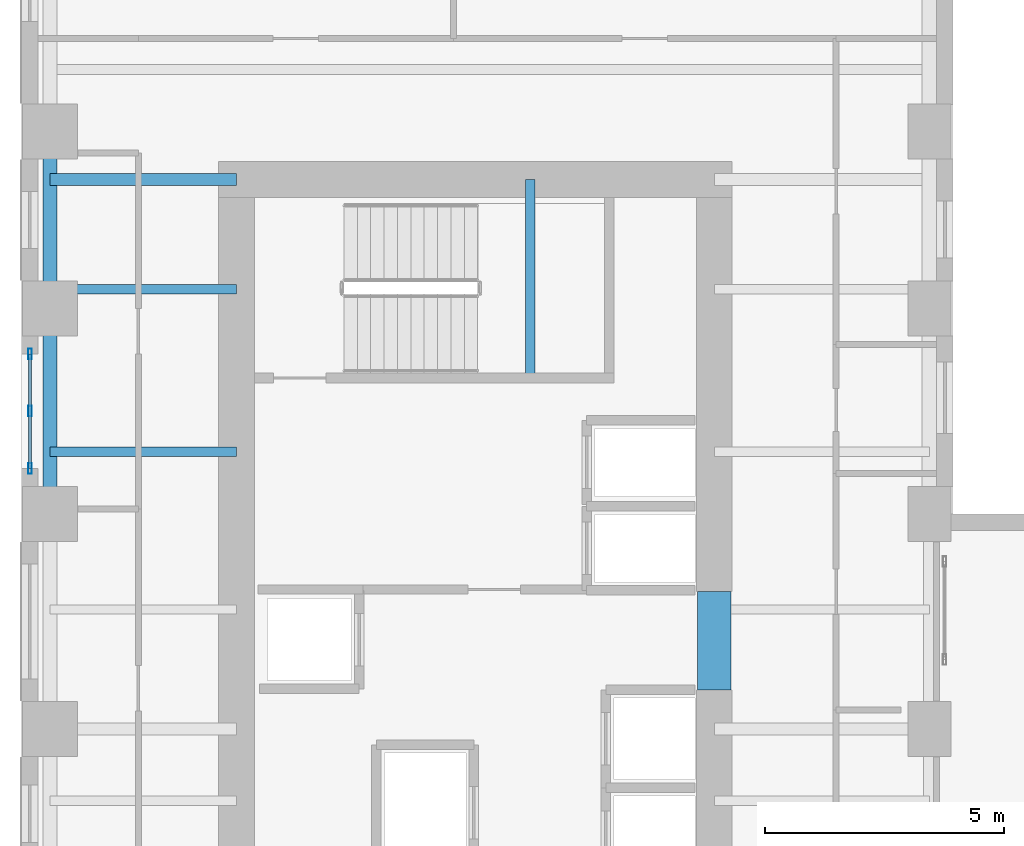
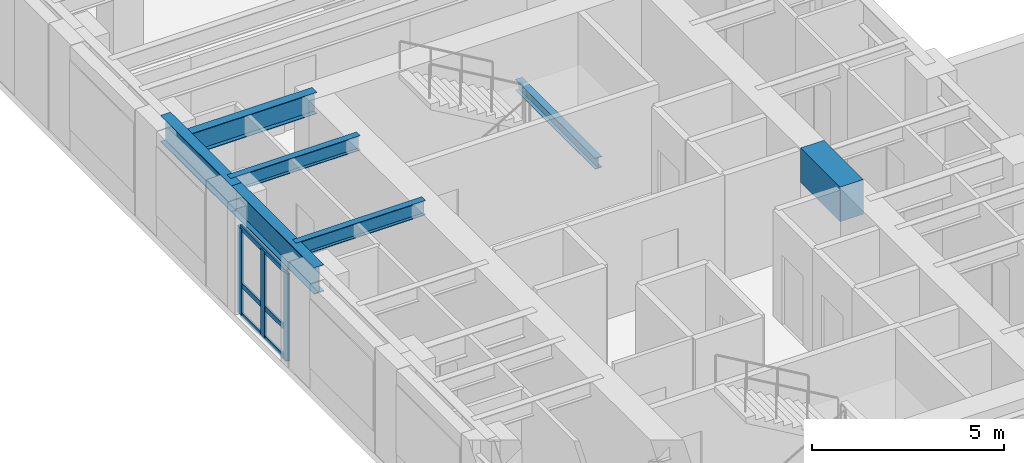
# One storey, part 2 of 14: 7 beams, 6 members, 1 element without a shape of its own.
"""IFC4 building model written with IfcOpenShell, lengths in metres."""

from ifc_helpers import new_model, si_unit, direction, frame, origin, origin_2d, place, context, subcontext, project, spatial, rectangle, hollow_rectangle, i_section, extrude, source, transform, mapped, material, layer, layer_set, material_profile, profile_set, type_object, element, aggregate, save


model = new_model("IFC4")

# Units and contexts
model_context = context("Model", 3, precision=1e-05, world=origin(), true_north=direction((0.0, 1.0)))
body_context = subcontext(model_context, "Body", "Model", "MODEL_VIEW")
ifc_project = project(units=[si_unit("LENGTHUNIT", "METRE"), si_unit("AREAUNIT", "SQUARE_METRE"), si_unit("VOLUMEUNIT", "CUBIC_METRE"), si_unit("PLANEANGLEUNIT", "RADIAN"), si_unit("MASSUNIT", "GRAM", prefix="KILO")], contexts=[model_context])

# Site, building, storey
site_placement = place(None, origin())
site = spatial("IfcSite", under=ifc_project, at=site_placement, CompositionType="ELEMENT")
building_placement = place(site_placement, origin())
building = spatial("IfcBuilding", under=site, at=building_placement, Name="Kharzan Plaza Tower", CompositionType="ELEMENT")
storey_placement = place(building_placement, frame((0.0, 0.0, 81.0)))
storey = spatial("IfcBuildingStorey", under=building, at=storey_placement, Name="L21", CompositionType="ELEMENT", Elevation=81.0)

# Beams
ifc_material_1 = material(Name="Concrete C60/75", Category="concrete")
ifc_material_profile_1 = material_profile(ifc_material_1, rectangle(XDim=0.699951171875, YDim=1.10009765625, at=origin_2d()), Name="RC-CB1100x700")
ifc_profile_set_1 = profile_set([ifc_material_profile_1], Name="Concrete C60/75")
beam_type_1 = type_object("IfcBeamType", Name="BM-RCCB1100", PredefinedType="LINTEL", material=ifc_profile_set_1)
shared_shape_1 = source(origin(), body_context, "Body", "SweptSolid", [
    extrude(rectangle(XDim=0.699951171875, YDim=1.10009765625, at=origin_2d()), origin(), (0.0, 0.0, 1.0), 2.059814453125),
])
beam_1_placement = place(storey_placement, frame((14.5, 18.820068359375, 2.830078125), z_axis=(0.0, 1.0, 0.0), x_axis=(-1.0, 0.0, 0.0)))
element("IfcBeam", 1, at=beam_1_placement, inside=storey, type_object=beam_type_1, Name="L21 CORE-A RC coupling beam CB1", PredefinedType="LINTEL", context=body_context, shape_type="MappedRepresentation", body=[
    mapped(shared_shape_1, transform((0.0, 0.0, 0.0), x_axis=(1.0, 0.0, 0.0), y_axis=(0.0, 1.0, 0.0), z_axis=(0.0, 0.0, 1.0))),
])
ifc_material_2 = material(Name="Steel S355", Category="steel")
ifc_material_profile_2 = material_profile(ifc_material_2, i_section(OverallWidth=0.205078125, OverallDepth=0.35400390625, WebThickness=0.009521484375, FlangeThickness=0.016845703125, at=origin_2d()), Name="W360x79")
ifc_profile_set_2 = profile_set([ifc_material_profile_2], Name="Steel S355")
beam_type_2 = type_object("IfcBeamType", Name="BM-LNT360", PredefinedType="LINTEL", material=ifc_profile_set_2)
shared_shape_2 = source(origin(), body_context, "Body", "SweptSolid", [
    extrude(i_section(OverallWidth=0.205078125, OverallDepth=0.35400390625, WebThickness=0.009521484375, FlangeThickness=0.016845703125, at=origin_2d()), origin(), (0.0, 0.0, 1.0), 4.155029296875),
])
beam_2_placement = place(storey_placement, frame((10.64990234375, 25.344970703125, 1.423095703125), z_axis=(0.0, 1.0, 0.0), x_axis=(-1.0, 0.0, 0.0)))
element("IfcBeam", 2, at=beam_2_placement, inside=storey, type_object=beam_type_2, Name="L21 Stair ST-2 Half-Landing Beam", PredefinedType="LINTEL", context=body_context, shape_type="MappedRepresentation", body=[
    mapped(shared_shape_2, transform((0.0, 0.0, 0.0), x_axis=(1.0, 0.0, 0.0), y_axis=(0.0, 1.0, 0.0), z_axis=(0.0, 0.0, 1.0))),
])
ifc_material_profile_3 = material_profile(ifc_material_2, i_section(OverallWidth=0.194091796875, OverallDepth=0.468994140625, WebThickness=0.011474609375, FlangeThickness=0.0205078125, at=origin_2d()), Name="W460x106")
ifc_profile_set_3 = profile_set([ifc_material_profile_3], Name="Steel S355")
beam_type_3 = type_object("IfcBeamType", Name="BM-JST460", PredefinedType="JOIST", material=ifc_profile_set_3)
shared_shape_3 = source(origin(), body_context, "Body", "SweptSolid", [
    extrude(i_section(OverallWidth=0.194091796875, OverallDepth=0.468994140625, WebThickness=0.011474609375, FlangeThickness=0.0205078125, at=origin_2d()), origin(), (0.0, 0.0, 1.0), 3.89990234375),
])
for number, where, z_axis, x_axis, name in (
    (3, (0.60009765625, 23.800048828125, 3.1455078125), (1.0, 0.0, 0.0), (0.0, 1.0, 0.0), "L21 Wing A West Infill Joist 5"),
    (4, (0.60009765625, 27.199951171875, 3.1455078125), (1.0, 0.0, 0.0), (0.0, 1.0, 0.0), "L21 Wing A West Infill Joist 6"),
):
    element("IfcBeam", number, at=place(storey_placement, frame(where, z_axis=z_axis, x_axis=x_axis)), inside=storey, type_object=beam_type_3, Name=name, PredefinedType="JOIST", context=body_context, shape_type="MappedRepresentation", body=[
        mapped(shared_shape_3, transform((0.0, 0.0, 0.0), x_axis=(1.0, 0.0, 0.0), y_axis=(0.0, 1.0, 0.0), z_axis=(0.0, 0.0, 1.0))),
    ])

# Curtain wall, members
ifc_material_3 = material(Name="Unitised Bronze-Anodized Aluminium and Low-E Glass", Category="aluminium")
ifc_layer = layer(ifc_material_3, 0.199951171875)
ifc_layer_set = layer_set([ifc_layer], Name="Unitised Bronze-Anodized Aluminium and Low-E Glass")
curtain_wall_type = type_object("IfcCurtainWallType", Name="CW-SKY-4", PredefinedType="NOTDEFINED", material=ifc_layer_set)
curtain_wall_placement = place(storey_placement, origin())
curtain_wall = element("IfcCurtainWall", 5, at=curtain_wall_placement, inside=storey, type_object=curtain_wall_type, Name="L21 Sky-Lobby and Transfer Zone Feature Curtain Wall", PredefinedType="NOTDEFINED")
ifc_material_4 = material(Name="Anodized Bronze Aluminium", Category="aluminium")
ifc_material_profile_4 = material_profile(ifc_material_4, hollow_rectangle(XDim=0.06005859375, YDim=0.14990234375, WallThickness=0.00341796875, at=origin_2d()), Name="ALU-T150x60x3.5")
ifc_profile_set_4 = profile_set([ifc_material_profile_4], Name="Anodized Bronze Aluminium")
member_type_1 = type_object("IfcMemberType", Name="MEM-CW-TRN150", PredefinedType="USERDEFINED", material=ifc_profile_set_4)
shared_shape_4 = source(origin(), body_context, "Body", "SweptSolid", [
    extrude(hollow_rectangle(XDim=0.06005859375, YDim=0.14990234375, WallThickness=0.00341796875, at=origin_2d()), origin(), (0.0, 0.0, 1.0), 2.400146484375),
])
member_1_placement = place(storey_placement, frame((0.179931640625, 23.449951171875, 0.0), z_axis=(0.0, 1.0, 0.0), x_axis=(-1.0, 0.0, 0.0)))
member_1 = element("IfcMember", 6, at=member_1_placement, type_object=member_type_1, Name="L21 Curtain-Wall Transom 1", ObjectType="TRANSOM", PredefinedType="USERDEFINED", context=body_context, shape_type="MappedRepresentation", body=[
    mapped(shared_shape_4, transform((0.0, 0.0, 0.0), x_axis=(1.0, 0.0, 0.0), y_axis=(0.0, 1.0, 0.0), z_axis=(0.0, 0.0, 1.0))),
])
member_2_placement = place(storey_placement, frame((0.179931640625, 23.449951171875, 0.949951171875), z_axis=(0.0, 1.0, 0.0), x_axis=(-1.0, 0.0, 0.0)))
member_2 = element("IfcMember", 7, at=member_2_placement, type_object=member_type_1, Name="L21 Curtain-Wall Transom 2", ObjectType="TRANSOM", PredefinedType="USERDEFINED", context=body_context, shape_type="MappedRepresentation", body=[
    mapped(shared_shape_4, transform((0.0, 0.0, 0.0), x_axis=(1.0, 0.0, 0.0), y_axis=(0.0, 1.0, 0.0), z_axis=(0.0, 0.0, 1.0))),
])
member_3_placement = place(storey_placement, frame((0.179931640625, 23.449951171875, 2.75), z_axis=(0.0, 1.0, 0.0), x_axis=(-1.0, 0.0, 0.0)))
member_3 = element("IfcMember", 8, at=member_3_placement, type_object=member_type_1, Name="L21 Curtain-Wall Transom 3", ObjectType="TRANSOM", PredefinedType="USERDEFINED", context=body_context, shape_type="MappedRepresentation", body=[
    mapped(shared_shape_4, transform((0.0, 0.0, 0.0), x_axis=(1.0, 0.0, 0.0), y_axis=(0.0, 1.0, 0.0), z_axis=(0.0, 0.0, 1.0))),
])
ifc_material_profile_5 = material_profile(ifc_material_4, hollow_rectangle(XDim=0.074951171875, YDim=0.219970703125, WallThickness=0.00390625, at=origin_2d()), Name="ALU-M220x75x4")
ifc_profile_set_5 = profile_set([ifc_material_profile_5], Name="Anodized Bronze Aluminium")
member_type_2 = type_object("IfcMemberType", Name="MEM-CW-MUL200", PredefinedType="MULLION", material=ifc_profile_set_5)
shared_shape_5 = source(origin(), body_context, "Body", "SweptSolid", [
    extrude(hollow_rectangle(XDim=0.074951171875, YDim=0.219970703125, WallThickness=0.00390625, at=origin_2d()), origin(), (0.0, 0.0, 1.0), 2.75),
])
member_4_placement = place(storey_placement, frame((0.179931640625, 23.449951171875, 0.0), z_axis=(0.0, 0.0, 1.0), x_axis=(1.0, 0.0, 0.0)))
member_4 = element("IfcMember", 9, at=member_4_placement, type_object=member_type_2, Name="L21 Curtain-Wall Mullion 00", PredefinedType="MULLION", context=body_context, shape_type="MappedRepresentation", body=[
    mapped(shared_shape_5, transform((0.0, 0.0, 0.0), x_axis=(1.0, 0.0, 0.0), y_axis=(0.0, 1.0, 0.0), z_axis=(0.0, 0.0, 1.0))),
])
member_5_placement = place(storey_placement, frame((0.179931640625, 24.64990234375, 0.0), z_axis=(0.0, 0.0, 1.0), x_axis=(1.0, 0.0, 0.0)))
member_5 = element("IfcMember", 10, at=member_5_placement, type_object=member_type_2, Name="L21 Curtain-Wall Mullion 01", PredefinedType="MULLION", context=body_context, shape_type="MappedRepresentation", body=[
    mapped(shared_shape_5, transform((0.0, 0.0, 0.0), x_axis=(1.0, 0.0, 0.0), y_axis=(0.0, 1.0, 0.0), z_axis=(0.0, 0.0, 1.0))),
])
member_6_placement = place(storey_placement, frame((0.179931640625, 25.85009765625, 0.0), z_axis=(0.0, 0.0, 1.0), x_axis=(1.0, 0.0, 0.0)))
member_6 = element("IfcMember", 11, at=member_6_placement, type_object=member_type_2, Name="L21 Curtain-Wall Mullion 02", PredefinedType="MULLION", context=body_context, shape_type="MappedRepresentation", body=[
    mapped(shared_shape_5, transform((0.0, 0.0, 0.0), x_axis=(1.0, 0.0, 0.0), y_axis=(0.0, 1.0, 0.0), z_axis=(0.0, 0.0, 1.0))),
])
aggregate(curtain_wall, [member_4, member_5, member_6, member_1, member_2, member_3])

# Beams
ifc_material_profile_6 = material_profile(ifc_material_2, i_section(OverallWidth=0.25390625, OverallDepth=0.68798828125, WebThickness=0.01318359375, FlangeThickness=0.02099609375, at=origin_2d()), Name="W690x152")
ifc_profile_set_6 = profile_set([ifc_material_profile_6], Name="Steel S355")
beam_type_4 = type_object("IfcBeamType", Name="BM-FG690B", PredefinedType="BEAM", material=ifc_profile_set_6)
shared_shape_6 = source(origin(), body_context, "Body", "SweptSolid", [
    extrude(i_section(OverallWidth=0.25390625, OverallDepth=0.68798828125, WebThickness=0.01318359375, FlangeThickness=0.02099609375, at=origin_2d()), origin(), (0.0, 0.0, 1.0), 3.89990234375),
])
beam_3_placement = place(storey_placement, frame((0.60009765625, 29.5, 3.035888671875), z_axis=(1.0, 0.0, 0.0), x_axis=(0.0, 1.0, 0.0)))
element("IfcBeam", 12, at=beam_3_placement, inside=storey, type_object=beam_type_4, Name="L21 Core-A West Floor Girder 3", PredefinedType="BEAM", context=body_context, shape_type="MappedRepresentation", body=[
    mapped(shared_shape_6, transform((0.0, 0.0, 0.0), x_axis=(1.0, 0.0, 0.0), y_axis=(0.0, 1.0, 0.0), z_axis=(0.0, 0.0, 1.0))),
])
ifc_material_profile_7 = material_profile(ifc_material_2, i_section(OverallWidth=0.299072265625, OverallDepth=0.845947265625, WebThickness=0.015380859375, FlangeThickness=0.0244140625, at=origin_2d()), Name="W840x210")
ifc_profile_set_7 = profile_set([ifc_material_profile_7], Name="Steel S355")
beam_type_5 = type_object("IfcBeamType", Name="BM-SP840B", PredefinedType="SPANDREL", material=ifc_profile_set_7)
shared_shape_7 = source(origin(), body_context, "Body", "SweptSolid", [
    extrude(i_section(OverallWidth=0.299072265625, OverallDepth=0.845947265625, WebThickness=0.015380859375, FlangeThickness=0.0244140625, at=origin_2d()), origin(), (0.0, 0.0, 1.0), 4.300048828125),
])
beam_4_placement = place(storey_placement, frame((0.60009765625, 22.5, 2.95703125), z_axis=(0.0, 1.0, 0.0), x_axis=(-1.0, 0.0, 0.0)))
element("IfcBeam", 13, at=beam_4_placement, inside=storey, type_object=beam_type_5, Name="L21 Perimeter Tube Spandrel", PredefinedType="SPANDREL", context=body_context, shape_type="MappedRepresentation", body=[
    mapped(shared_shape_7, transform((0.0, 0.0, 0.0), x_axis=(1.0, 0.0, 0.0), y_axis=(0.0, 1.0, 0.0), z_axis=(0.0, 0.0, 1.0))),
])
shared_shape_8 = source(origin(), body_context, "Body", "SweptSolid", [
    extrude(i_section(OverallWidth=0.299072265625, OverallDepth=0.845947265625, WebThickness=0.015380859375, FlangeThickness=0.0244140625, at=origin_2d()), origin(), (0.0, 0.0, 1.0), 3.699951171875),
])
beam_5_placement = place(storey_placement, frame((0.60009765625, 26.800048828125, 2.95703125), z_axis=(0.0, 1.0, 0.0), x_axis=(-1.0, 0.0, 0.0)))
element("IfcBeam", 14, at=beam_5_placement, inside=storey, type_object=beam_type_5, Name="L21 Perimeter Tube Spandrel", PredefinedType="SPANDREL", context=body_context, shape_type="MappedRepresentation", body=[
    mapped(shared_shape_8, transform((0.0, 0.0, 0.0), x_axis=(1.0, 0.0, 0.0), y_axis=(0.0, 1.0, 0.0), z_axis=(0.0, 0.0, 1.0))),
])

save(model, "model.ifc")
